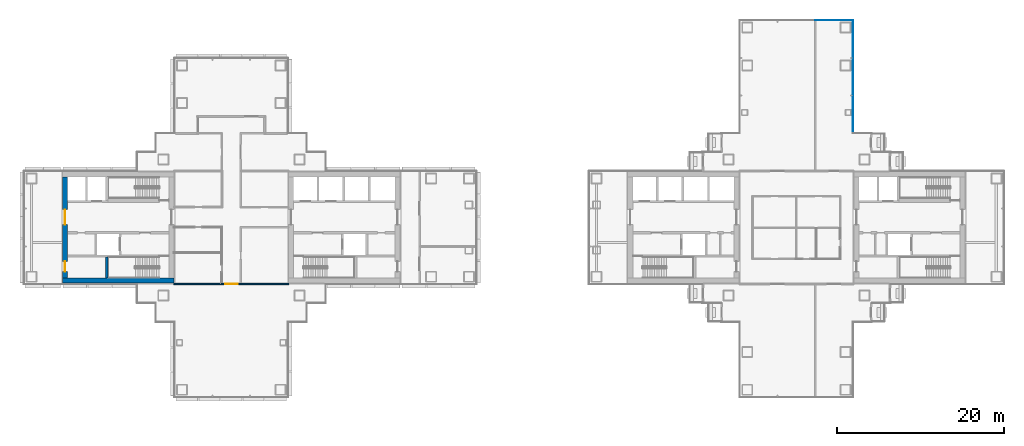
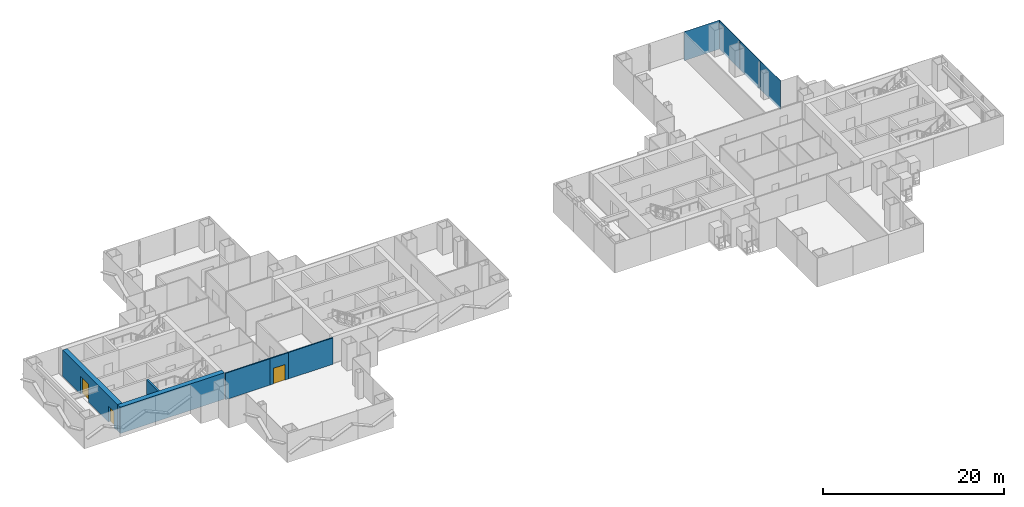
# One storey, part 10 of 19: 6 walls, 4 plates, 3 doors, 3 openings, 2 elements without a shape of their own.
"""IFC4 building model written with IfcOpenShell, lengths in metres."""

from ifc_helpers import new_model, si_unit, direction, frame, frame_2d, origin, origin_2d, place, context, subcontext, project, spatial, rectangle, extrude, material, layer, layer_set, type_object, element, fill, aggregate, save


model = new_model("IFC4")

# Units and contexts
model_context = context("Model", 3, precision=1e-05, world=origin(), true_north=direction((0.0, 1.0)))
body_context = subcontext(model_context, "Body", "Model", "MODEL_VIEW")
ifc_project = project(units=[si_unit("LENGTHUNIT", "METRE"), si_unit("AREAUNIT", "SQUARE_METRE"), si_unit("VOLUMEUNIT", "CUBIC_METRE"), si_unit("PLANEANGLEUNIT", "RADIAN"), si_unit("MASSUNIT", "GRAM", prefix="KILO")], contexts=[model_context])

# Site, building, storey
site_placement = place(None, origin())
site = spatial("IfcSite", under=ifc_project, at=site_placement, CompositionType="ELEMENT")
building_placement = place(site_placement, origin())
building = spatial("IfcBuilding", under=site, at=building_placement, Name="Shamsa Quay Exchange Towers", CompositionType="ELEMENT")
storey_placement = place(building_placement, frame((0.0, 0.0, 97.5)))
storey = spatial("IfcBuildingStorey", under=building, at=storey_placement, Name="L22", CompositionType="ELEMENT", Elevation=97.5)

# Curtain wall, plates
ifc_material_1 = material(Name="Aluminium EN AW-6063 T6, black anodised", Category="aluminium")
ifc_layer_1 = layer(ifc_material_1, 0.280029296875)
ifc_layer_set_1 = layer_set([ifc_layer_1], Name="CW-1 UNITISED VISION GLASS")
curtain_wall_type = type_object("IfcCurtainWallType", Name="CW-1 UNITISED VISION GLASS", PredefinedType="NOTDEFINED", material=ifc_layer_set_1)
curtain_wall_1_placement = place(storey_placement, origin())
curtain_wall_1 = element("IfcCurtainWall", 1, at=curtain_wall_1_placement, inside=storey, type_object=curtain_wall_type, Name="CW1 T2-FLK-U+S L22", PredefinedType="NOTDEFINED")
ifc_material_2 = material(Name="Glass, laminated, dark tinted", Category="glass")
ifc_layer_2 = layer(ifc_material_2, 0.0400390625)
ifc_layer_set_2 = layer_set([ifc_layer_2], Name="CW-1 VISION GLASS 40")
plate_type = type_object("IfcPlateType", Name="CW-1 VISION GLASS 40", PredefinedType="CURTAIN_PANEL", material=ifc_layer_set_2)
plate_1_placement = place(storey_placement, frame((40.52001953125, 13.529052734375, -0.349853515625), z_axis=(0.0, 0.0, 1.0), x_axis=(0.0, 1.0, 0.0)))
plate_1 = element("IfcPlate", 2, at=plate_1_placement, type_object=plate_type, Name="CW1 glass panel", PredefinedType="CURTAIN_PANEL", context=body_context, shape_type="SweptSolid", body=[
    extrude(rectangle(XDim=4.482421875, YDim=0.0400390625, at=origin_2d()), origin(), (0.0, 0.0, 1.0), 3.89990234375),
])
plate_2_placement = place(storey_placement, frame((40.52001953125, 18.01904296875, -0.349853515625), z_axis=(0.0, 0.0, 1.0), x_axis=(0.0, 1.0, 0.0)))
plate_2 = element("IfcPlate", 3, at=plate_2_placement, type_object=plate_type, Name="CW1 glass panel", PredefinedType="CURTAIN_PANEL", context=body_context, shape_type="SweptSolid", body=[
    extrude(rectangle(XDim=4.477294921875, YDim=0.0400390625, at=origin_2d()), origin(), (0.0, 0.0, 1.0), 3.89990234375),
])
plate_3_placement = place(storey_placement, frame((40.52001953125, 22.5087890625, -0.349853515625), z_axis=(0.0, 0.0, 1.0), x_axis=(0.0, 1.0, 0.0)))
plate_3 = element("IfcPlate", 4, at=plate_3_placement, type_object=plate_type, Name="CW1 glass panel", PredefinedType="CURTAIN_PANEL", context=body_context, shape_type="SweptSolid", body=[
    extrude(rectangle(XDim=4.482421875, YDim=0.0400390625, at=origin_2d()), origin(), (0.0, 0.0, 1.0), 3.89990234375),
])
aggregate(curtain_wall_1, [plate_1, plate_2, plate_3])

# Curtain wall, plate
curtain_wall_2_placement = place(storey_placement, origin())
curtain_wall_2 = element("IfcCurtainWall", 5, at=curtain_wall_2_placement, inside=storey, type_object=curtain_wall_type, Name="CW1 T2-END-U+ L22", PredefinedType="NOTDEFINED")
plate_4_placement = place(storey_placement, frame((38.25244140625, 24.77001953125, -0.349853515625), z_axis=(0.0, 0.0, 1.0), x_axis=(-1.0, 0.0, 0.0)))
plate_4 = element("IfcPlate", 6, at=plate_4_placement, type_object=plate_type, Name="CW1 glass panel", PredefinedType="CURTAIN_PANEL", context=body_context, shape_type="SweptSolid", body=[
    extrude(rectangle(XDim=4.4951171875, YDim=0.0400390625, at=origin_2d()), origin(), (0.0, 0.0, 1.0), 3.89990234375),
])
aggregate(curtain_wall_2, [plate_4])

# Wall
ifc_material_3 = material(Name="Concrete C70/85", Category="concrete")
ifc_layer_3 = layer(ifc_material_3, 0.60009765625)
ifc_layer_set_3 = layer_set([ifc_layer_3], Name="CORE WALL 600 C70/85")
wall_type_1 = type_object("IfcWallType", Name="CORE WALL 600 C70/85", PredefinedType="SHEAR", material=ifc_layer_set_3)
wall_1_placement = place(storey_placement, frame((-40.60009765625, -6.35009765625, 0.0), z_axis=(0.0, 0.0, 1.0), x_axis=(-1.0, 0.0, 0.0)))
element("IfcWall", 7, at=wall_1_placement, inside=storey, type_object=wall_type_1, Name="Core wall T1B-R09-PS", PredefinedType="SHEAR", context=body_context, shape_type="SweptSolid", body=[
    extrude(rectangle(XDim=13.2998046875, YDim=0.60009765625, at=frame_2d((6.64990234375, 0.0))), origin(), (0.0, 0.0, 1.0), 3.550048828125),
])

# Wall, openings, doors
wall_2_placement = place(storey_placement, frame((-53.60009765625, -6.050048828125, 0.0), z_axis=(0.0, 0.0, 1.0), x_axis=(0.0, 1.0, 0.0)))
wall_2 = element("IfcWall", 8, at=wall_2_placement, inside=storey, type_object=wall_type_1, Name="Core wall T1B-R09-PB", PredefinedType="SHEAR", context=body_context, shape_type="SweptSolid", body=[
    extrude(rectangle(XDim=12.10009765625, YDim=0.60009765625, at=frame_2d((6.050048828125, 0.0))), origin(), (0.0, 0.0, 1.0), 3.550048828125),
])
opening_1_placement = place(wall_2_placement, frame((0.800048828125, 0.0, 0.0)))
opening_1 = element("IfcOpeningElement", 9, at=opening_1_placement, cuts=wall_2, Name="Opening T1B-R09-RD02", PredefinedType="OPENING", context=body_context, shape_type="SweptSolid", body=[
    extrude(rectangle(XDim=1.199951171875, YDim=2.10009765625, at=frame_2d((0.60009765625, 1.050048828125))), frame((0.0, 0.31005859375, 0.0), z_axis=(0.0, -1.0, 0.0), x_axis=(1.0, 0.0, 0.0)), (0.0, 0.0, 1.0), 0.6201171875),
])
opening_2_placement = place(wall_2_placement, frame((6.39990234375, 0.0, 0.0)))
opening_2 = element("IfcOpeningElement", 10, at=opening_2_placement, cuts=wall_2, Name="Opening T1B-R09-LBD03", PredefinedType="OPENING", context=body_context, shape_type="SweptSolid", body=[
    extrude(rectangle(XDim=1.800048828125, YDim=2.39990234375, at=frame_2d((0.89990234375, 1.199951171875))), frame((0.0, 0.31005859375, 0.0), z_axis=(0.0, -1.0, 0.0), x_axis=(1.0, 0.0, 0.0)), (0.0, 0.0, 1.0), 0.6201171875),
])
ifc_material_4 = material(Name="Steel, fire rated", Category="steel")
door_type_1 = type_object("IfcDoorType", Name="LIFT LOBBY DOOR PAIR 1800", OperationType="DOUBLE_DOOR_SINGLE_SWING", PredefinedType="DOOR", material=ifc_material_4)
door_1_placement = place(opening_2_placement, origin())
door_1 = element("IfcDoor", 11, at=door_1_placement, inside=storey, type_object=door_type_1, Name="T1B-R09-LBD03", OperationType="DOUBLE_DOOR_SINGLE_SWING", OverallHeight=2.39990234375, OverallWidth=1.800048828125, PredefinedType="DOOR", context=body_context, shape_type="SweptSolid", body=[
    extrude(rectangle(XDim=1.800048828125, YDim=2.39990234375, at=frame_2d((0.89990234375, 1.199951171875))), frame((0.0, 0.02490234375, 0.0), z_axis=(0.0, -1.0, 0.0), x_axis=(1.0, 0.0, 0.0)), (0.0, 0.0, 1.0), 0.050048828125),
])
fill(opening_2, door_1)
door_type_2 = type_object("IfcDoorType", Name="RISER ACCESS DOOR 1200", OperationType="SINGLE_SWING_LEFT", PredefinedType="DOOR", material=ifc_material_4)
door_2_placement = place(opening_1_placement, origin())
door_2 = element("IfcDoor", 12, at=door_2_placement, inside=storey, type_object=door_type_2, Name="T1B-R09-RD02", OperationType="SINGLE_SWING_LEFT", OverallHeight=2.10009765625, OverallWidth=1.199951171875, PredefinedType="DOOR", context=body_context, shape_type="SweptSolid", body=[
    extrude(rectangle(XDim=1.199951171875, YDim=2.10009765625, at=frame_2d((0.60009765625, 1.050048828125))), frame((0.0, 0.02490234375, 0.0), z_axis=(0.0, -1.0, 0.0), x_axis=(1.0, 0.0, 0.0)), (0.0, 0.0, 1.0), 0.050048828125),
])
fill(opening_1, door_2)

# Wall, opening, door
ifc_material_5 = material(Name="Gypsum board partition on metal studs")
ifc_layer_4 = layer(ifc_material_5, 0.14990234375)
ifc_layer_set_4 = layer_set([ifc_layer_4], Name="Partition 150 mm EI 60")
wall_type_2 = type_object("IfcWallType", Name="Partition 150 mm EI 60", PredefinedType="PARTITIONING", material=ifc_layer_set_4)
wall_3_placement = place(storey_placement, frame((-32.550048828125, -6.75, 0.0), z_axis=(0.0, 0.0, 1.0), x_axis=(-1.0, 0.0, 0.0)))
wall_3 = element("IfcWall", 13, at=wall_3_placement, inside=storey, type_object=wall_type_2, Name="Partition T1-R09-W16", PredefinedType="PARTITIONING", context=body_context, shape_type="SweptSolid", body=[
    extrude(rectangle(XDim=2.375, YDim=0.14990234375, at=frame_2d((1.1875, 0.0))), origin(), (0.0, 0.0, 1.0), 3.550048828125),
])
opening_3_placement = place(wall_3_placement, frame((0.449951171875, 0.0, 0.0)))
opening_3 = element("IfcOpeningElement", 14, at=opening_3_placement, cuts=wall_3, Name="Opening T1-R09-D06", PredefinedType="OPENING", context=body_context, shape_type="SweptSolid", body=[
    extrude(rectangle(XDim=1.5, YDim=2.10009765625, at=frame_2d((0.75, 1.050048828125))), frame((0.0, 0.0849609375, 0.0), z_axis=(0.0, -1.0, 0.0), x_axis=(1.0, 0.0, 0.0)), (0.0, 0.0, 1.0), 0.169921875),
])
ifc_material_6 = material(Name="Timber door leaf in a metal frame", Category="wood")
door_type_3 = type_object("IfcDoorType", Name="Door 1500x2100 FD30S pair", OperationType="NOTDEFINED", PredefinedType="DOOR", material=ifc_material_6)
door_3_placement = place(opening_3_placement, origin())
door_3 = element("IfcDoor", 15, at=door_3_placement, inside=storey, type_object=door_type_3, Name="Door T1-R09-D06", OperationType="DOUBLE_DOOR_SINGLE_SWING", OverallHeight=2.10009765625, OverallWidth=1.5, PredefinedType="DOOR", context=body_context, shape_type="SweptSolid", body=[
    extrude(rectangle(XDim=1.5, YDim=2.10009765625, at=frame_2d((0.75, 1.050048828125))), frame((0.0, 0.02490234375, 0.0), z_axis=(0.0, -1.0, 0.0), x_axis=(1.0, 0.0, 0.0)), (0.0, 0.0, 1.0), 0.050048828125),
])
fill(opening_3, door_3)

# Walls
wall_4_placement = place(storey_placement, frame((-40.60009765625, -6.75, 0.0)))
element("IfcWall", 16, at=wall_4_placement, inside=storey, type_object=wall_type_2, Name="Partition T1-R09-W20", PredefinedType="PARTITIONING", context=body_context, shape_type="SweptSolid", body=[
    extrude(rectangle(XDim=5.775146484375, YDim=0.14990234375, at=frame_2d((2.8876953125, 0.0))), origin(), (0.0, 0.0, 1.0), 3.550048828125),
])
wall_5_placement = place(storey_placement, frame((-32.699951171875, -6.75, 0.0)))
element("IfcWall", 17, at=wall_5_placement, inside=storey, type_object=wall_type_2, Name="Partition T1-R09-W21", PredefinedType="PARTITIONING", context=body_context, shape_type="SweptSolid", body=[
    extrude(rectangle(XDim=5.800048828125, YDim=0.14990234375, at=frame_2d((2.89990234375, 0.0))), origin(), (0.0, 0.0, 1.0), 3.550048828125),
])
ifc_material_7 = material(Name="Concrete C50/60", Category="concrete")
ifc_layer_5 = layer(ifc_material_7, 0.25)
ifc_layer_set_5 = layer_set([ifc_layer_5], Name="SHAFT WALL 250 C50/60")
wall_type_3 = type_object("IfcWallType", Name="SHAFT WALL 250 C50/60", PredefinedType="SHEAR", material=ifc_layer_set_5)
wall_6_placement = place(storey_placement, frame((-48.625, -6.050048828125, 0.0), z_axis=(0.0, 0.0, 1.0), x_axis=(0.0, 1.0, 0.0)))
element("IfcWall", 18, at=wall_6_placement, inside=storey, type_object=wall_type_3, Name="Shaft wall T1B-R09-STF", PredefinedType="SHEAR", context=body_context, shape_type="SweptSolid", body=[
    extrude(rectangle(XDim=2.550048828125, YDim=0.25, at=frame_2d((1.27490234375, 0.0))), origin(), (0.0, 0.0, 1.0), 3.550048828125),
])

save(model, "model.ifc")
